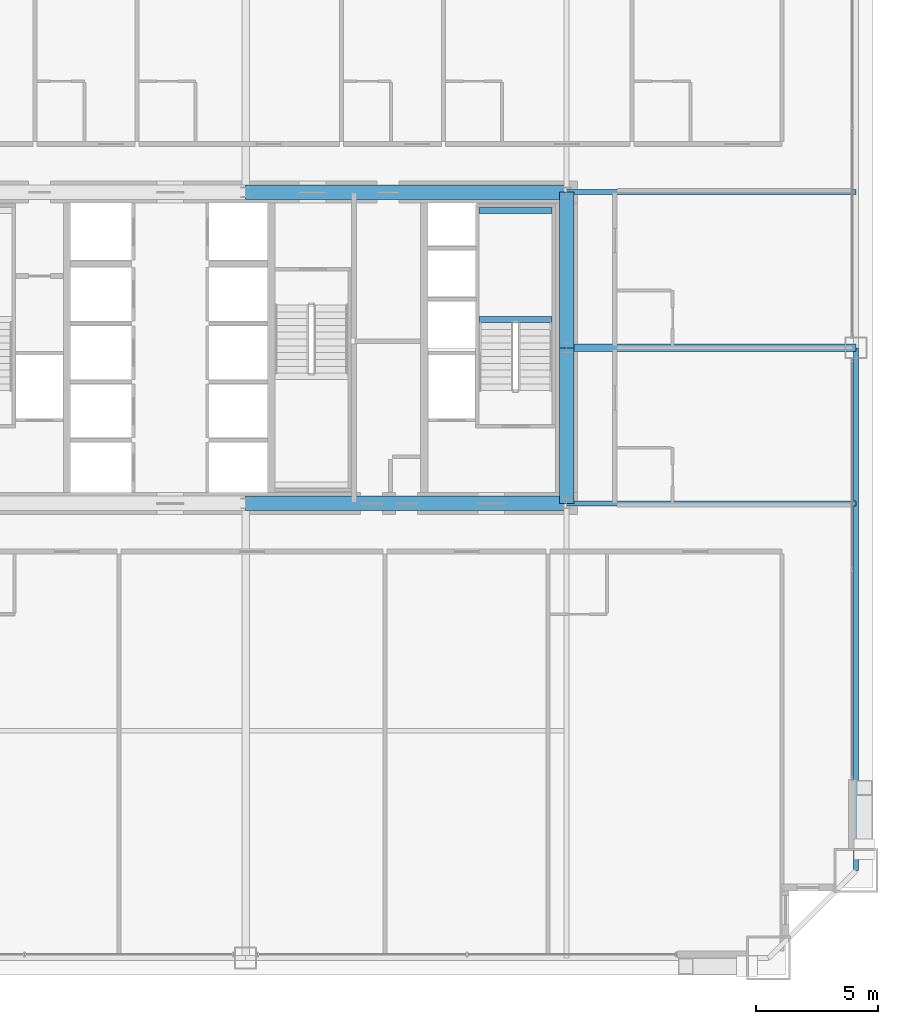
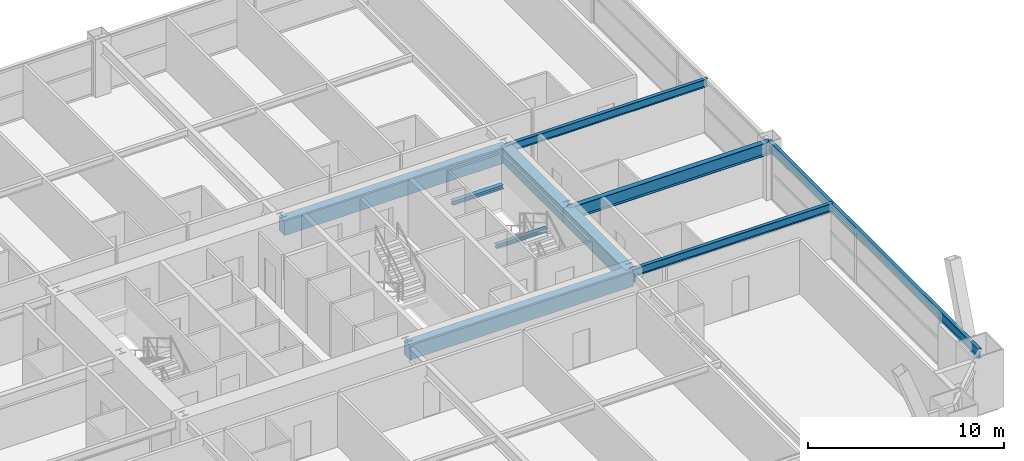
# One storey, part 18 of 43: 10 beams.
"""IFC4 building model written with IfcOpenShell, lengths in metres."""

from ifc_helpers import new_model, si_unit, direction, frame, origin, origin_2d, place, context, subcontext, project, spatial, rectangle, i_section, extrude, source, transform, mapped, material, material_profile, profile_set, type_object, element, save


model = new_model("IFC4")

# Units and contexts
model_context = context("Model", 3, precision=1e-05, world=origin(), true_north=direction((0.0, 1.0)))
body_context = subcontext(model_context, "Body", "Model", "MODEL_VIEW")
ifc_project = project(units=[si_unit("LENGTHUNIT", "METRE"), si_unit("AREAUNIT", "SQUARE_METRE"), si_unit("VOLUMEUNIT", "CUBIC_METRE"), si_unit("PLANEANGLEUNIT", "RADIAN"), si_unit("MASSUNIT", "GRAM", prefix="KILO"), si_unit("THERMODYNAMICTEMPERATUREUNIT", "KELVIN"), si_unit("POWERUNIT", "WATT")], contexts=[model_context])

# Site, building, storey
site_placement = place(None, origin())
site = spatial("IfcSite", under=ifc_project, at=site_placement, CompositionType="ELEMENT")
building_placement = place(site_placement, origin())
building = spatial("IfcBuilding", under=site, at=building_placement, Name="Yuzanri Waterfront Tower", CompositionType="ELEMENT")
storey_placement = place(building_placement, frame((0.0, 0.0, 53.199951171875)))
storey = spatial("IfcBuildingStorey", under=building, at=storey_placement, Name="L13", CompositionType="ELEMENT", Elevation=53.199951171875)

# Beams
ifc_material_1 = material(Name="Concrete C60", Category="concrete")
ifc_material_profile_1 = material_profile(ifc_material_1, rectangle(XDim=0.60009765625, YDim=0.89990234375, at=origin_2d()), Name="RC 600x900")
ifc_profile_set_1 = profile_set([ifc_material_profile_1], Name="Concrete C60")
beam_type_1 = type_object("IfcBeamType", Name="Core Coupling Lintel Concrete C60 600x900", PredefinedType="LINTEL", material=ifc_profile_set_1)
shared_shape_1 = source(origin(), body_context, "Body", "SweptSolid", [
    extrude(rectangle(XDim=0.60009765625, YDim=0.89990234375, at=origin_2d()), origin(), (0.0, 0.0, 1.0), 13.199951171875),
])
for number, where, z_axis, x_axis, name in (
    (1, (37.0, 19.39990234375, 2.929931640625), (1.0, 0.0, 0.0), (0.0, 1.0, 0.0), "L13 Core Tie Beam CS2"),
    (2, (37.0, 32.199951171875, 2.929931640625), (1.0, 0.0, 0.0), (0.0, 1.0, 0.0), "L13 Core Tie Beam CN2"),
):
    element("IfcBeam", number, at=place(storey_placement, frame(where, z_axis=z_axis, x_axis=x_axis)), inside=storey, type_object=beam_type_1, Name=name, PredefinedType="LINTEL", context=body_context, shape_type="MappedRepresentation", body=[
        mapped(shared_shape_1, transform((0.0, 0.0, 0.0), scale=1.0)),
    ])
shared_shape_2 = source(origin(), body_context, "Body", "SweptSolid", [
    extrude(rectangle(XDim=0.60009765625, YDim=0.89990234375, at=origin_2d()), origin(), (0.0, 0.0, 1.0), 6.400146484375),
])
beam_1_placement = place(storey_placement, frame((50.199951171875, 19.39990234375, 2.929931640625), z_axis=(0.0, 1.0, 0.0), x_axis=(-1.0, 0.0, 0.0)))
element("IfcBeam", 3, at=beam_1_placement, inside=storey, type_object=beam_type_1, Name="L13 Core Tie Beam CE1", PredefinedType="LINTEL", context=body_context, shape_type="MappedRepresentation", body=[
    mapped(shared_shape_2, transform((0.0, 0.0, 0.0), scale=1.0)),
])
shared_shape_3 = source(origin(), body_context, "Body", "SweptSolid", [
    extrude(rectangle(XDim=0.60009765625, YDim=0.89990234375, at=origin_2d()), origin(), (0.0, 0.0, 1.0), 6.39990234375),
])
beam_2_placement = place(storey_placement, frame((50.199951171875, 25.800048828125, 2.929931640625), z_axis=(0.0, 1.0, 0.0), x_axis=(-1.0, 0.0, 0.0)))
element("IfcBeam", 4, at=beam_2_placement, inside=storey, type_object=beam_type_1, Name="L13 Core Tie Beam CE2", PredefinedType="LINTEL", context=body_context, shape_type="MappedRepresentation", body=[
    mapped(shared_shape_3, transform((0.0, 0.0, 0.0), scale=1.0)),
])
ifc_material_2 = material(Name="Steel Q355B", Category="steel")
ifc_material_profile_2 = material_profile(ifc_material_2, i_section(OverallWidth=0.199951171875, OverallDepth=0.60009765625, WebThickness=0.010986328125, FlangeThickness=0.01708984375, at=origin_2d()), Name="HN 600x200x11x17")
ifc_profile_set_2 = profile_set([ifc_material_profile_2], Name="Steel Q355B")
beam_type_2 = type_object("IfcBeamType", Name="Perimeter Spandrel Q355B HN 600x200", PredefinedType="SPANDREL", material=ifc_profile_set_2)
shared_shape_4 = source(origin(), body_context, "Body", "SweptSolid", [
    extrude(i_section(OverallWidth=0.199951171875, OverallDepth=0.60009765625, WebThickness=0.010986328125, FlangeThickness=0.01708984375, at=origin_2d()), origin(), (0.0, 0.0, 1.0), 21.5),
])
beam_3_placement = place(storey_placement, frame((62.10009765625, 4.300048828125, 3.080078125), z_axis=(0.0, 1.0, 0.0), x_axis=(-1.0, 0.0, 0.0)))
element("IfcBeam", 5, at=beam_3_placement, inside=storey, type_object=beam_type_2, Name="L13 Perimeter Spandrel E1-E2", PredefinedType="SPANDREL", context=body_context, shape_type="MappedRepresentation", body=[
    mapped(shared_shape_4, transform((0.0, 0.0, 0.0), scale=1.0)),
])
ifc_material_3 = material(Name="Steel Q355B", Category="steel")
ifc_material_profile_3 = material_profile(ifc_material_3, i_section(OverallWidth=0.300048828125, OverallDepth=0.800048828125, WebThickness=0.013916015625, FlangeThickness=0.02587890625, at=origin_2d()), Name="HN 800x300x14x26")
ifc_profile_set_3 = profile_set([ifc_material_profile_3], Name="Steel Q355B")
beam_type_3 = type_object("IfcBeamType", Name="Primary Floor Girder Q355B HN 800x300", PredefinedType="BEAM", material=ifc_profile_set_3)
shared_shape_5 = source(origin(), body_context, "Body", "SweptSolid", [
    extrude(i_section(OverallWidth=0.300048828125, OverallDepth=0.800048828125, WebThickness=0.013916015625, FlangeThickness=0.02587890625, at=origin_2d()), origin(), (0.0, 0.0, 1.0), 11.900146484375),
])
beam_4_placement = place(storey_placement, frame((50.199951171875, 25.800048828125, 2.97998046875), z_axis=(1.0, 0.0, 0.0), x_axis=(0.0, 1.0, 0.0)))
element("IfcBeam", 6, at=beam_4_placement, inside=storey, type_object=beam_type_3, Name="L13 East Grid Girder", PredefinedType="BEAM", context=body_context, shape_type="MappedRepresentation", body=[
    mapped(shared_shape_5, transform((0.0, 0.0, 0.0), scale=1.0)),
])
ifc_material_4 = material(Name="Steel Q355B", Category="steel")
ifc_material_profile_4 = material_profile(ifc_material_4, i_section(OverallWidth=0.199951171875, OverallDepth=0.5, WebThickness=0.010009765625, FlangeThickness=0.01611328125, at=origin_2d()), Name="HN 500x200x10x16")
ifc_profile_set_4 = profile_set([ifc_material_profile_4], Name="Steel Q355B")
beam_type_4 = type_object("IfcBeamType", Name="Secondary Floor Beam Q355B HN 500x200", PredefinedType="BEAM", material=ifc_profile_set_4)
shared_shape_6 = source(origin(), body_context, "Body", "SweptSolid", [
    extrude(i_section(OverallWidth=0.199951171875, OverallDepth=0.5, WebThickness=0.010009765625, FlangeThickness=0.01611328125, at=origin_2d()), origin(), (0.0, 0.0, 1.0), 11.900146484375),
])
for number, where, z_axis, x_axis, name in (
    (7, (50.199951171875, 19.39990234375, 3.130126953125), (1.0, 0.0, 0.0), (0.0, 1.0, 0.0), "L13 East-South Core Line Beam"),
    (8, (50.199951171875, 32.199951171875, 3.130126953125), (1.0, 0.0, 0.0), (0.0, 1.0, 0.0), "L13 East-North Core Line Beam"),
):
    element("IfcBeam", number, at=place(storey_placement, frame(where, z_axis=z_axis, x_axis=x_axis)), inside=storey, type_object=beam_type_4, Name=name, PredefinedType="BEAM", context=body_context, shape_type="MappedRepresentation", body=[
        mapped(shared_shape_6, transform((0.0, 0.0, 0.0), scale=1.0)),
    ])
ifc_material_5 = material(Name="Steel Q355B", Category="steel")
ifc_material_profile_5 = material_profile(ifc_material_5, i_section(OverallWidth=0.25, OverallDepth=0.25, WebThickness=0.009033203125, FlangeThickness=0.013916015625, at=origin_2d()), Name="HW 250x250x9x14")
ifc_profile_set_5 = profile_set([ifc_material_profile_5], Name="Steel Q355B")
beam_type_5 = type_object("IfcBeamType", Name="Stair Landing Support Beam Q355B HW 250x250", PredefinedType="BEAM", material=ifc_profile_set_5)
shared_shape_7 = source(origin(), body_context, "Body", "SweptSolid", [
    extrude(i_section(OverallWidth=0.25, OverallDepth=0.25, WebThickness=0.009033203125, FlangeThickness=0.013916015625, at=origin_2d()), origin(), (0.0, 0.0, 1.0), 3.0),
])
for number, where, z_axis, x_axis, name in (
    (9, (46.60009765625, 26.969970703125, 1.47509765625), (1.0, 0.0, 0.0), (0.0, 1.0, 0.0), "L13 Stair Landing Support Beam ST-02-L13-L1-1"),
    (10, (46.60009765625, 31.449951171875, 1.47509765625), (1.0, 0.0, 0.0), (0.0, 1.0, 0.0), "L13 Stair Landing Support Beam ST-02-L13-L1-2"),
):
    element("IfcBeam", number, at=place(storey_placement, frame(where, z_axis=z_axis, x_axis=x_axis)), inside=storey, type_object=beam_type_5, Name=name, PredefinedType="BEAM", context=body_context, shape_type="MappedRepresentation", body=[
        mapped(shared_shape_7, transform((0.0, 0.0, 0.0), scale=1.0)),
    ])

save(model, "model.ifc")
